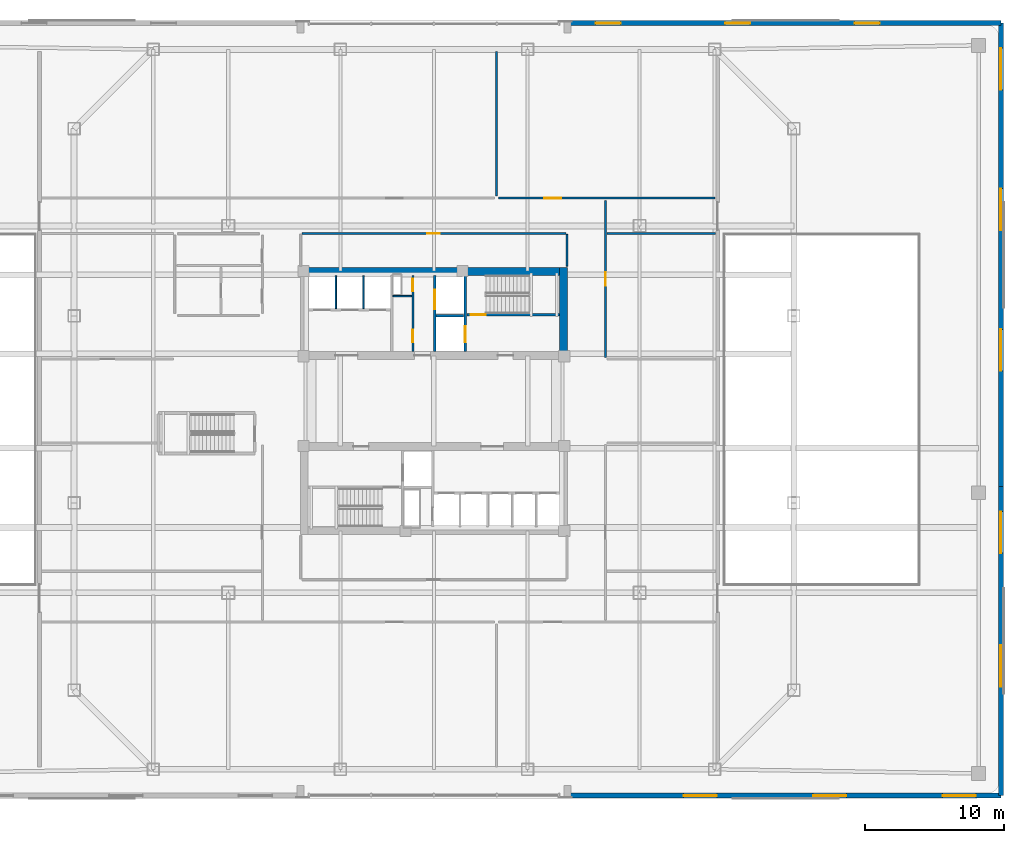
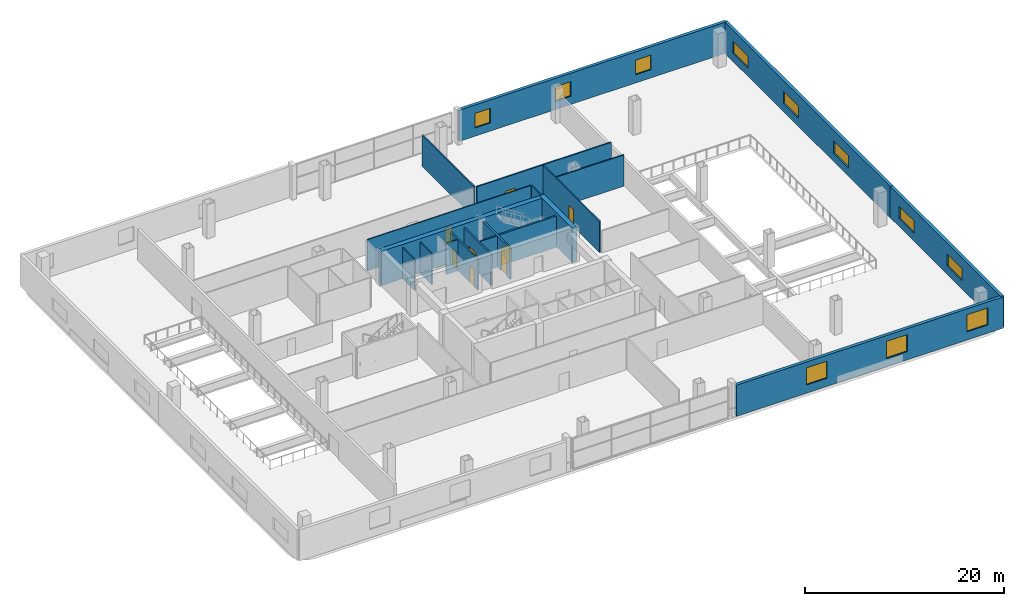
# One storey, part 14 of 21: 20 walls, 11 windows, 8 doors, 19 openings.
"""IFC4 building model written with IfcOpenShell, lengths in metres."""

from ifc_helpers import new_model, si_unit, direction, frame, frame_2d, origin, place, context, subcontext, project, spatial, rectangle, extrude, material, layer, layer_set, type_object, element, fill, save


model = new_model("IFC4")

# Units and contexts
model_context = context("Model", 3, precision=1e-05, world=origin(), true_north=direction((0.0, 1.0)))
body_context = subcontext(model_context, "Body", "Model", "MODEL_VIEW")
ifc_project = project(units=[si_unit("LENGTHUNIT", "METRE"), si_unit("AREAUNIT", "SQUARE_METRE"), si_unit("VOLUMEUNIT", "CUBIC_METRE"), si_unit("PLANEANGLEUNIT", "RADIAN"), si_unit("MASSUNIT", "GRAM", prefix="KILO")], contexts=[model_context])

# Site, building, storey
site_placement = place(None, origin())
site = spatial("IfcSite", under=ifc_project, at=site_placement, CompositionType="ELEMENT")
building_placement = place(site_placement, origin())
building = spatial("IfcBuilding", under=site, at=building_placement, Name="Qhalaya Broadcast Tower", CompositionType="ELEMENT")
storey_placement = place(building_placement, frame((0.0, 0.0, 17.699951171875)))
storey = spatial("IfcBuildingStorey", under=building, at=storey_placement, Name="L04", CompositionType="ELEMENT", Elevation=17.699951171875)

# Wall, openings, doors
ifc_material_1 = material(Name="Gypsum Acoustic Partition")
ifc_layer_1 = layer(ifc_material_1, 0.14990234375, Name="Gypsum Acoustic Partition")
ifc_layer_set_1 = layer_set([ifc_layer_1], Name="Gypsum Acoustic Partition")
wall_type_1 = type_object("IfcWallType", Name="Corridor & Tenancy Acoustic Partition 150", PredefinedType="PARTITIONING", material=ifc_layer_set_1)
wall_1_placement = place(storey_placement, frame((-1.52001953125, 4.169921875, 0.0), z_axis=(0.0, 0.0, 1.0), x_axis=(0.0, 1.0, 0.0)))
wall_1 = element("IfcWall", 1, at=wall_1_placement, inside=storey, type_object=wall_type_1, Name="L04 Partition Wall NCW-SVL", PredefinedType="PARTITIONING", context=body_context, shape_type="SweptSolid", body=[
    extrude(rectangle(XDim=5.4599609375, YDim=0.14990234375, at=frame_2d((2.72998046875, 0.0))), origin(), (0.0, 0.0, 1.0), 3.820068359375),
])
opening_1_placement = place(wall_1_placement, frame((4.330078125, 0.0, 0.0)))
opening_1 = element("IfcOpeningElement", 2, at=opening_1_placement, cuts=wall_1, Name="Opening D06", PredefinedType="OPENING", context=body_context, shape_type="SweptSolid", body=[
    extrude(rectangle(XDim=0.89990234375, YDim=2.050048828125, at=frame_2d((0.449951171875, 1.02490234375))), frame((0.0, 0.0869140625, 0.0), z_axis=(0.0, -1.0, 0.0), x_axis=(1.0, 0.0, 0.0)), (0.0, 0.0, 1.0), 0.173828125),
])
opening_2_placement = place(wall_1_placement, frame((0.64990234375, 0.0, 0.0)))
opening_2 = element("IfcOpeningElement", 3, at=opening_2_placement, cuts=wall_1, Name="Opening D06", PredefinedType="OPENING", context=body_context, shape_type="SweptSolid", body=[
    extrude(rectangle(XDim=0.89990234375, YDim=2.050048828125, at=frame_2d((0.449951171875, 1.02490234375))), frame((0.0, 0.0869140625, 0.0), z_axis=(0.0, -1.0, 0.0), x_axis=(1.0, 0.0, 0.0)), (0.0, 0.0, 1.0), 0.173828125),
])
ifc_material_2 = material(Name="Fire-Rated Steel Door", Category="steel")
door_type_1 = type_object("IfcDoorType", Name="Riser & Electrical Shaft Access Door D06", OperationType="NOTDEFINED", PredefinedType="DOOR", material=ifc_material_2)
door_1_placement = place(opening_1_placement, origin())
door_1 = element("IfcDoor", 4, at=door_1_placement, inside=storey, type_object=door_type_1, Name="L04 Riser Shaft Access Door D-NRSR", OperationType="SINGLE_SWING_RIGHT", OverallHeight=2.050048828125, OverallWidth=0.89990234375, PredefinedType="DOOR", context=body_context, shape_type="SweptSolid", body=[
    extrude(rectangle(XDim=0.89990234375, YDim=2.050048828125, at=frame_2d((0.449951171875, 1.02490234375))), frame((0.0, 0.02490234375, 0.0), z_axis=(0.0, -1.0, 0.0), x_axis=(1.0, 0.0, 0.0)), (0.0, 0.0, 1.0), 0.050048828125),
])
fill(opening_1, door_1)
door_2_placement = place(opening_2_placement, origin())
door_2 = element("IfcDoor", 5, at=door_2_placement, inside=storey, type_object=door_type_1, Name="L04 Door D-NCST", OperationType="SINGLE_SWING_LEFT", OverallHeight=2.050048828125, OverallWidth=0.89990234375, PredefinedType="DOOR", context=body_context, shape_type="SweptSolid", body=[
    extrude(rectangle(XDim=0.89990234375, YDim=2.050048828125, at=frame_2d((0.449951171875, 1.02490234375))), frame((0.0, 0.02490234375, 0.0), z_axis=(0.0, -1.0, 0.0), x_axis=(1.0, 0.0, 0.0)), (0.0, 0.0, 1.0), 0.050048828125),
])
fill(opening_2, door_2)

# Wall, opening, door
wall_2_placement = place(storey_placement, frame((4.659912109375, 15.199951171875, 0.0), z_axis=(0.0, 0.0, 1.0), x_axis=(1.0, 0.0, 0.0)))
wall_2 = element("IfcWall", 6, at=wall_2_placement, inside=storey, type_object=wall_type_1, Name="L04 Partition Wall W-STN1R", PredefinedType="PARTITIONING", context=body_context, shape_type="SweptSolid", body=[
    extrude(rectangle(XDim=15.580078125, YDim=0.14990234375, at=frame_2d((7.7900390625, 0.0))), origin(), (0.0, 0.0, 1.0), 3.820068359375),
])
opening_3_placement = place(wall_2_placement, frame((3.294921875, 0.0, 0.0)))
opening_3 = element("IfcOpeningElement", 7, at=opening_3_placement, cuts=wall_2, Name="Opening D11", PredefinedType="OPENING", context=body_context, shape_type="SweptSolid", body=[
    extrude(rectangle(XDim=1.199951171875, YDim=2.10009765625, at=frame_2d((0.60009765625, 1.050048828125))), frame((0.0, 0.0869140625, 0.0), z_axis=(0.0, -1.0, 0.0), x_axis=(1.0, 0.0, 0.0)), (0.0, 0.0, 1.0), 0.173828125),
])
ifc_material_3 = material(Name="Anodised Aluminium Glazed Door", Category="aluminium")
door_type_2 = type_object("IfcDoorType", Name="Conference, Boardroom & Studio Control Door D11", OperationType="NOTDEFINED", PredefinedType="DOOR", material=ifc_material_3)
door_3_placement = place(opening_3_placement, origin())
door_3 = element("IfcDoor", 8, at=door_3_placement, inside=storey, type_object=door_type_2, Name="L04 Door D-STN2", OperationType="SINGLE_SWING_RIGHT", OverallHeight=2.10009765625, OverallWidth=1.199951171875, PredefinedType="DOOR", context=body_context, shape_type="SweptSolid", body=[
    extrude(rectangle(XDim=1.199951171875, YDim=2.10009765625, at=frame_2d((0.60009765625, 1.050048828125))), frame((0.0, 0.02490234375, 0.0), z_axis=(0.0, -1.0, 0.0), x_axis=(1.0, 0.0, 0.0)), (0.0, 0.0, 1.0), 0.050048828125),
])
fill(opening_3, door_3)

# Wall
wall_3_placement = place(storey_placement, frame((4.5, 15.360107421875, 0.0), z_axis=(0.0, 0.0, 1.0), x_axis=(0.0, 1.0, 0.0)))
element("IfcWall", 9, at=wall_3_placement, inside=storey, type_object=wall_type_1, Name="L04 Partition Wall W-STMN", PredefinedType="PARTITIONING", context=body_context, shape_type="SweptSolid", body=[
    extrude(rectangle(XDim=10.3798828125, YDim=0.14990234375, at=frame_2d((5.18994140625, 0.0))), origin(), (0.0, 0.0, 1.0), 3.820068359375),
])

# Wall, opening, door
wall_4_placement = place(storey_placement, frame((12.35009765625, 3.739990234375, 0.0), z_axis=(0.0, 0.0, 1.0), x_axis=(0.0, 1.0, 0.0)))
wall_4 = element("IfcWall", 10, at=wall_4_placement, inside=storey, type_object=wall_type_1, Name="L04 Partition Wall W-STPEN", PredefinedType="PARTITIONING", context=body_context, shape_type="SweptSolid", body=[
    extrude(rectangle(XDim=11.300048828125, YDim=0.14990234375, at=frame_2d((5.64990234375, 0.0))), origin(), (0.0, 0.0, 1.0), 3.820068359375),
])
opening_4_placement = place(wall_4_placement, frame((5.175048828125, 0.0, 0.0)))
opening_4 = element("IfcOpeningElement", 11, at=opening_4_placement, cuts=wall_4, Name="Opening D10", PredefinedType="OPENING", context=body_context, shape_type="SweptSolid", body=[
    extrude(rectangle(XDim=0.949951171875, YDim=2.10009765625, at=frame_2d((0.47509765625, 1.050048828125))), frame((0.0, 0.0869140625, 0.0), z_axis=(0.0, -1.0, 0.0), x_axis=(1.0, 0.0, 0.0)), (0.0, 0.0, 1.0), 0.173828125),
])
ifc_material_4 = material(Name="Timber Veneer Acoustic Door", Category="wood")
door_type_3 = type_object("IfcDoorType", Name="Cellular Office & Edit Booth Door D10", OperationType="NOTDEFINED", PredefinedType="DOOR", material=ifc_material_4)
door_4_placement = place(opening_4_placement, origin())
door_4 = element("IfcDoor", 12, at=door_4_placement, inside=storey, type_object=door_type_3, Name="L04 Door D-STPE2", OperationType="SINGLE_SWING_LEFT", OverallHeight=2.10009765625, OverallWidth=0.949951171875, PredefinedType="DOOR", context=body_context, shape_type="SweptSolid", body=[
    extrude(rectangle(XDim=0.949951171875, YDim=2.10009765625, at=frame_2d((0.47509765625, 1.050048828125))), frame((0.0, 0.02490234375, 0.0), z_axis=(0.0, -1.0, 0.0), x_axis=(1.0, 0.0, 0.0)), (0.0, 0.0, 1.0), 0.050048828125),
])
fill(opening_4, door_4)

# Wall
wall_5_placement = place(storey_placement, frame((12.4599609375, 12.659912109375, 0.0), z_axis=(0.0, 0.0, 1.0), x_axis=(1.0, 0.0, 0.0)))
element("IfcWall", 13, at=wall_5_placement, inside=storey, type_object=wall_type_1, Name="L04 Partition Wall W-GAL-NE", PredefinedType="PARTITIONING", context=body_context, shape_type="SweptSolid", body=[
    extrude(rectangle(XDim=7.800048828125, YDim=0.14990234375, at=frame_2d((3.89990234375, 0.0))), origin(), (0.0, 0.0, 1.0), 3.820068359375),
])

# Wall, openings, windows
ifc_material_5 = material(Name="Precast Concrete C40/50", Category="concrete")
ifc_layer_2 = layer(ifc_material_5, 0.360107421875, Name="Precast Concrete C40/50")
ifc_layer_set_2 = layer_set([ifc_layer_2], Name="Precast Concrete C40/50")
wall_type_2 = type_object("IfcWallType", Name="Insulated Precast Terracotta Exterior Wall 360", PredefinedType="SOLIDWALL", material=ifc_layer_set_2)
wall_6_placement = place(storey_placement, frame((40.800048828125, -27.800048828125, 0.0), z_axis=(0.0, 0.0, 1.0), x_axis=(-1.0, 0.0, 0.0)))
wall_6 = element("IfcWall", 14, at=wall_6_placement, inside=storey, type_object=wall_type_2, Name="L04 Podium Exterior Terracotta Wall EW-SE", PredefinedType="SOLIDWALL", context=body_context, shape_type="SweptSolid", body=[
    extrude(rectangle(XDim=30.9599609375, YDim=0.360107421875, at=frame_2d((15.47998046875, 0.0))), origin(), (0.0, 0.0, 1.0), 3.820068359375),
])
opening_5_placement = place(wall_6_placement, frame((1.800048828125, 0.0, 1.0)))
opening_5 = element("IfcOpeningElement", 15, at=opening_5_placement, cuts=wall_6, Name="Opening W01", PredefinedType="OPENING", context=body_context, shape_type="SweptSolid", body=[
    extrude(rectangle(XDim=2.39990234375, YDim=2.10009765625, at=frame_2d((1.199951171875, 1.050048828125))), frame((0.0, 0.192138671875, 0.0), z_axis=(0.0, -1.0, 0.0), x_axis=(1.0, 0.0, 0.0)), (0.0, 0.0, 1.0), 0.384033203125),
])
opening_6_placement = place(wall_6_placement, frame((11.1201171875, 0.0, 1.0)))
opening_6 = element("IfcOpeningElement", 16, at=opening_6_placement, cuts=wall_6, Name="Opening W01", PredefinedType="OPENING", context=body_context, shape_type="SweptSolid", body=[
    extrude(rectangle(XDim=2.39990234375, YDim=2.10009765625, at=frame_2d((1.199951171875, 1.050048828125))), frame((0.0, 0.192138671875, 0.0), z_axis=(0.0, -1.0, 0.0), x_axis=(1.0, 0.0, 0.0)), (0.0, 0.0, 1.0), 0.384033203125),
])
opening_7_placement = place(wall_6_placement, frame((20.43994140625, 0.0, 1.0)))
opening_7 = element("IfcOpeningElement", 17, at=opening_7_placement, cuts=wall_6, Name="Opening W01", PredefinedType="OPENING", context=body_context, shape_type="SweptSolid", body=[
    extrude(rectangle(XDim=2.39990234375, YDim=2.10009765625, at=frame_2d((1.199951171875, 1.050048828125))), frame((0.0, 0.192138671875, 0.0), z_axis=(0.0, -1.0, 0.0), x_axis=(1.0, 0.0, 0.0)), (0.0, 0.0, 1.0), 0.384033203125),
])
ifc_material_6 = material(Name="Solar-Control Low-E Triple Glazing", Category="glass")
window_type_1 = type_object("IfcWindowType", Name="Podium Broadcast Studio Acoustic Window W01", PartitioningType="SINGLE_PANEL", PredefinedType="WINDOW", material=ifc_material_6)
window_1_placement = place(opening_5_placement, origin())
window_1 = element("IfcWindow", 18, at=window_1_placement, inside=storey, type_object=window_type_1, Name="L04 Facade Window W01-1", OverallHeight=2.10009765625, OverallWidth=2.39990234375, PartitioningType="SINGLE_PANEL", PredefinedType="WINDOW", context=body_context, shape_type="SweptSolid", body=[
    extrude(rectangle(XDim=2.39990234375, YDim=2.10009765625, at=frame_2d((1.199951171875, 1.050048828125))), frame((0.0, 0.030029296875, 0.0), z_axis=(0.0, -1.0, 0.0), x_axis=(1.0, 0.0, 0.0)), (0.0, 0.0, 1.0), 0.06005859375),
])
fill(opening_5, window_1)
window_2_placement = place(opening_6_placement, origin())
window_2 = element("IfcWindow", 19, at=window_2_placement, inside=storey, type_object=window_type_1, Name="L04 Facade Window W01-2", OverallHeight=2.10009765625, OverallWidth=2.39990234375, PartitioningType="SINGLE_PANEL", PredefinedType="WINDOW", context=body_context, shape_type="SweptSolid", body=[
    extrude(rectangle(XDim=2.39990234375, YDim=2.10009765625, at=frame_2d((1.199951171875, 1.050048828125))), frame((0.0, 0.030029296875, 0.0), z_axis=(0.0, -1.0, 0.0), x_axis=(1.0, 0.0, 0.0)), (0.0, 0.0, 1.0), 0.06005859375),
])
fill(opening_6, window_2)
window_3_placement = place(opening_7_placement, origin())
window_3 = element("IfcWindow", 20, at=window_3_placement, inside=storey, type_object=window_type_1, Name="L04 Facade Window W01-3", OverallHeight=2.10009765625, OverallWidth=2.39990234375, PartitioningType="SINGLE_PANEL", PredefinedType="WINDOW", context=body_context, shape_type="SweptSolid", body=[
    extrude(rectangle(XDim=2.39990234375, YDim=2.10009765625, at=frame_2d((1.199951171875, 1.050048828125))), frame((0.0, 0.030029296875, 0.0), z_axis=(0.0, -1.0, 0.0), x_axis=(1.0, 0.0, 0.0)), (0.0, 0.0, 1.0), 0.06005859375),
])
fill(opening_7, window_3)

wall_7_placement = place(storey_placement, frame((9.840087890625, 27.800048828125, 0.0), z_axis=(0.0, 0.0, 1.0), x_axis=(1.0, 0.0, 0.0)))
wall_7 = element("IfcWall", 21, at=wall_7_placement, inside=storey, type_object=wall_type_2, Name="L04 Podium Exterior Terracotta Wall EW-NE", PredefinedType="SOLIDWALL", context=body_context, shape_type="SweptSolid", body=[
    extrude(rectangle(XDim=30.9599609375, YDim=0.360107421875, at=frame_2d((15.47998046875, 0.0))), origin(), (0.0, 0.0, 1.0), 3.820068359375),
])
opening_8_placement = place(wall_7_placement, frame((1.800048828125, 0.0, 1.0)))
opening_8 = element("IfcOpeningElement", 22, at=opening_8_placement, cuts=wall_7, Name="Opening W02", PredefinedType="OPENING", context=body_context, shape_type="SweptSolid", body=[
    extrude(rectangle(XDim=1.800048828125, YDim=1.800048828125, at=frame_2d((0.89990234375, 0.89990234375))), frame((0.0, 0.192138671875, 0.0), z_axis=(0.0, -1.0, 0.0), x_axis=(1.0, 0.0, 0.0)), (0.0, 0.0, 1.0), 0.384033203125),
])
opening_9_placement = place(wall_7_placement, frame((11.1201171875, 0.0, 1.0)))
opening_9 = element("IfcOpeningElement", 23, at=opening_9_placement, cuts=wall_7, Name="Opening W02", PredefinedType="OPENING", context=body_context, shape_type="SweptSolid", body=[
    extrude(rectangle(XDim=1.800048828125, YDim=1.800048828125, at=frame_2d((0.89990234375, 0.89990234375))), frame((0.0, 0.192138671875, 0.0), z_axis=(0.0, -1.0, 0.0), x_axis=(1.0, 0.0, 0.0)), (0.0, 0.0, 1.0), 0.384033203125),
])
opening_10_placement = place(wall_7_placement, frame((20.43994140625, 0.0, 1.0)))
opening_10 = element("IfcOpeningElement", 24, at=opening_10_placement, cuts=wall_7, Name="Opening W02", PredefinedType="OPENING", context=body_context, shape_type="SweptSolid", body=[
    extrude(rectangle(XDim=1.800048828125, YDim=1.800048828125, at=frame_2d((0.89990234375, 0.89990234375))), frame((0.0, 0.192138671875, 0.0), z_axis=(0.0, -1.0, 0.0), x_axis=(1.0, 0.0, 0.0)), (0.0, 0.0, 1.0), 0.384033203125),
])
window_type_2 = type_object("IfcWindowType", Name="Podium Production Office Window W02", PartitioningType="SINGLE_PANEL", PredefinedType="WINDOW", material=ifc_material_6)
window_4_placement = place(opening_8_placement, origin())
window_4 = element("IfcWindow", 25, at=window_4_placement, inside=storey, type_object=window_type_2, Name="L04 Facade Window W02-1", OverallHeight=1.800048828125, OverallWidth=1.800048828125, PartitioningType="SINGLE_PANEL", PredefinedType="WINDOW", context=body_context, shape_type="SweptSolid", body=[
    extrude(rectangle(XDim=1.800048828125, YDim=1.800048828125, at=frame_2d((0.89990234375, 0.89990234375))), frame((0.0, 0.030029296875, 0.0), z_axis=(0.0, -1.0, 0.0), x_axis=(1.0, 0.0, 0.0)), (0.0, 0.0, 1.0), 0.06005859375),
])
fill(opening_8, window_4)
window_5_placement = place(opening_9_placement, origin())
window_5 = element("IfcWindow", 26, at=window_5_placement, inside=storey, type_object=window_type_2, Name="L04 Facade Window W02-2", OverallHeight=1.800048828125, OverallWidth=1.800048828125, PartitioningType="SINGLE_PANEL", PredefinedType="WINDOW", context=body_context, shape_type="SweptSolid", body=[
    extrude(rectangle(XDim=1.800048828125, YDim=1.800048828125, at=frame_2d((0.89990234375, 0.89990234375))), frame((0.0, 0.030029296875, 0.0), z_axis=(0.0, -1.0, 0.0), x_axis=(1.0, 0.0, 0.0)), (0.0, 0.0, 1.0), 0.06005859375),
])
fill(opening_9, window_5)
window_6_placement = place(opening_10_placement, origin())
window_6 = element("IfcWindow", 27, at=window_6_placement, inside=storey, type_object=window_type_2, Name="L04 Facade Window W02-3", OverallHeight=1.800048828125, OverallWidth=1.800048828125, PartitioningType="SINGLE_PANEL", PredefinedType="WINDOW", context=body_context, shape_type="SweptSolid", body=[
    extrude(rectangle(XDim=1.800048828125, YDim=1.800048828125, at=frame_2d((0.89990234375, 0.89990234375))), frame((0.0, 0.030029296875, 0.0), z_axis=(0.0, -1.0, 0.0), x_axis=(1.0, 0.0, 0.0)), (0.0, 0.0, 1.0), 0.06005859375),
])
fill(opening_10, window_6)

wall_8_placement = place(storey_placement, frame((40.800048828125, -5.550048828125, 0.0), z_axis=(0.0, 0.0, 1.0), x_axis=(0.0, -1.0, 0.0)))
wall_8 = element("IfcWall", 28, at=wall_8_placement, inside=storey, type_object=wall_type_2, Name="L04 Podium Exterior Terracotta Wall EW-ES", PredefinedType="SOLIDWALL", context=body_context, shape_type="SweptSolid", body=[
    extrude(rectangle(XDim=22.25, YDim=0.360107421875, at=frame_2d((11.125, 0.0))), origin(), (0.0, 0.0, 1.0), 3.820068359375),
])
opening_11_placement = place(wall_8_placement, frame((1.800048828125, 0.0, 1.0)))
opening_11 = element("IfcOpeningElement", 29, at=opening_11_placement, cuts=wall_8, Name="Opening W03", PredefinedType="OPENING", context=body_context, shape_type="SweptSolid", body=[
    extrude(rectangle(XDim=3.0, YDim=1.5, at=frame_2d((1.5, 0.75))), frame((0.0, 0.192138671875, 0.0), z_axis=(0.0, -1.0, 0.0), x_axis=(1.0, 0.0, 0.0)), (0.0, 0.0, 1.0), 0.384033203125),
])
opening_12_placement = place(wall_8_placement, frame((11.425048828125, 0.0, 1.0)))
opening_12 = element("IfcOpeningElement", 30, at=opening_12_placement, cuts=wall_8, Name="Opening W03", PredefinedType="OPENING", context=body_context, shape_type="SweptSolid", body=[
    extrude(rectangle(XDim=3.0, YDim=1.5, at=frame_2d((1.5, 0.75))), frame((0.0, 0.192138671875, 0.0), z_axis=(0.0, -1.0, 0.0), x_axis=(1.0, 0.0, 0.0)), (0.0, 0.0, 1.0), 0.384033203125),
])
window_type_3 = type_object("IfcWindowType", Name="Podium Concourse Clerestory Window W03", PartitioningType="SINGLE_PANEL", PredefinedType="WINDOW", material=ifc_material_6)
window_7_placement = place(opening_11_placement, origin())
window_7 = element("IfcWindow", 31, at=window_7_placement, inside=storey, type_object=window_type_3, Name="L04 Facade Window W03-1", OverallHeight=1.5, OverallWidth=3.0, PartitioningType="SINGLE_PANEL", PredefinedType="WINDOW", context=body_context, shape_type="SweptSolid", body=[
    extrude(rectangle(XDim=3.0, YDim=1.5, at=frame_2d((1.5, 0.75))), frame((0.0, 0.030029296875, 0.0), z_axis=(0.0, -1.0, 0.0), x_axis=(1.0, 0.0, 0.0)), (0.0, 0.0, 1.0), 0.06005859375),
])
fill(opening_11, window_7)
window_8_placement = place(opening_12_placement, origin())
window_8 = element("IfcWindow", 32, at=window_8_placement, inside=storey, type_object=window_type_3, Name="L04 Facade Window W03-2", OverallHeight=1.5, OverallWidth=3.0, PartitioningType="SINGLE_PANEL", PredefinedType="WINDOW", context=body_context, shape_type="SweptSolid", body=[
    extrude(rectangle(XDim=3.0, YDim=1.5, at=frame_2d((1.5, 0.75))), frame((0.0, 0.030029296875, 0.0), z_axis=(0.0, -1.0, 0.0), x_axis=(1.0, 0.0, 0.0)), (0.0, 0.0, 1.0), 0.06005859375),
])
fill(opening_12, window_8)

wall_9_placement = place(storey_placement, frame((40.800048828125, 27.800048828125, 0.0), z_axis=(0.0, 0.0, 1.0), x_axis=(0.0, -1.0, 0.0)))
wall_9 = element("IfcWall", 33, at=wall_9_placement, inside=storey, type_object=wall_type_2, Name="L04 Podium Exterior Terracotta Wall EW-EN", PredefinedType="SOLIDWALL", context=body_context, shape_type="SweptSolid", body=[
    extrude(rectangle(XDim=33.35009765625, YDim=0.360107421875, at=frame_2d((16.675048828125, 0.0))), origin(), (0.0, 0.0, 1.0), 3.820068359375),
])
opening_13_placement = place(wall_9_placement, frame((1.800048828125, 0.0, 1.0)))
opening_13 = element("IfcOpeningElement", 34, at=opening_13_placement, cuts=wall_9, Name="Opening W03", PredefinedType="OPENING", context=body_context, shape_type="SweptSolid", body=[
    extrude(rectangle(XDim=3.0, YDim=1.5, at=frame_2d((1.5, 0.75))), frame((0.0, 0.192138671875, 0.0), z_axis=(0.0, -1.0, 0.0), x_axis=(1.0, 0.0, 0.0)), (0.0, 0.0, 1.0), 0.384033203125),
])
opening_14_placement = place(wall_9_placement, frame((11.9169921875, 0.0, 1.0)))
opening_14 = element("IfcOpeningElement", 35, at=opening_14_placement, cuts=wall_9, Name="Opening W03", PredefinedType="OPENING", context=body_context, shape_type="SweptSolid", body=[
    extrude(rectangle(XDim=3.0, YDim=1.5, at=frame_2d((1.5, 0.75))), frame((0.0, 0.192138671875, 0.0), z_axis=(0.0, -1.0, 0.0), x_axis=(1.0, 0.0, 0.0)), (0.0, 0.0, 1.0), 0.384033203125),
])
opening_15_placement = place(wall_9_placement, frame((22.032958984375, 0.0, 1.0)))
opening_15 = element("IfcOpeningElement", 36, at=opening_15_placement, cuts=wall_9, Name="Opening W03", PredefinedType="OPENING", context=body_context, shape_type="SweptSolid", body=[
    extrude(rectangle(XDim=3.0, YDim=1.5, at=frame_2d((1.5, 0.75))), frame((0.0, 0.192138671875, 0.0), z_axis=(0.0, -1.0, 0.0), x_axis=(1.0, 0.0, 0.0)), (0.0, 0.0, 1.0), 0.384033203125),
])
window_9_placement = place(opening_13_placement, origin())
window_9 = element("IfcWindow", 37, at=window_9_placement, inside=storey, type_object=window_type_3, Name="L04 Facade Window W03-1", OverallHeight=1.5, OverallWidth=3.0, PartitioningType="SINGLE_PANEL", PredefinedType="WINDOW", context=body_context, shape_type="SweptSolid", body=[
    extrude(rectangle(XDim=3.0, YDim=1.5, at=frame_2d((1.5, 0.75))), frame((0.0, 0.030029296875, 0.0), z_axis=(0.0, -1.0, 0.0), x_axis=(1.0, 0.0, 0.0)), (0.0, 0.0, 1.0), 0.06005859375),
])
fill(opening_13, window_9)
window_10_placement = place(opening_14_placement, origin())
window_10 = element("IfcWindow", 38, at=window_10_placement, inside=storey, type_object=window_type_3, Name="L04 Facade Window W03-2", OverallHeight=1.5, OverallWidth=3.0, PartitioningType="SINGLE_PANEL", PredefinedType="WINDOW", context=body_context, shape_type="SweptSolid", body=[
    extrude(rectangle(XDim=3.0, YDim=1.5, at=frame_2d((1.5, 0.75))), frame((0.0, 0.030029296875, 0.0), z_axis=(0.0, -1.0, 0.0), x_axis=(1.0, 0.0, 0.0)), (0.0, 0.0, 1.0), 0.06005859375),
])
fill(opening_14, window_10)
window_11_placement = place(opening_15_placement, origin())
window_11 = element("IfcWindow", 39, at=window_11_placement, inside=storey, type_object=window_type_3, Name="L04 Facade Window W03-3", OverallHeight=1.5, OverallWidth=3.0, PartitioningType="SINGLE_PANEL", PredefinedType="WINDOW", context=body_context, shape_type="SweptSolid", body=[
    extrude(rectangle(XDim=3.0, YDim=1.5, at=frame_2d((1.5, 0.75))), frame((0.0, 0.030029296875, 0.0), z_axis=(0.0, -1.0, 0.0), x_axis=(1.0, 0.0, 0.0)), (0.0, 0.0, 1.0), 0.06005859375),
])
fill(opening_15, window_11)

# Wall, opening, door
ifc_material_7 = material(Name="Concrete C50/60", Category="concrete")
ifc_layer_3 = layer(ifc_material_7, 0.199951171875, Name="Concrete C50/60")
ifc_layer_set_3 = layer_set([ifc_layer_3], Name="Concrete C50/60")
wall_type_3 = type_object("IfcWallType", Name="Load-Bearing Stair Shaft Wall 200", PredefinedType="SHEAR", material=ifc_layer_set_3)
wall_10_placement = place(storey_placement, frame((2.360107421875, 6.804931640625, 0.0), z_axis=(0.0, 0.0, 1.0), x_axis=(1.0, 0.0, 0.0)))
wall_10 = element("IfcWall", 40, at=wall_10_placement, inside=storey, type_object=wall_type_3, Name="L04 Stair Core Shear Wall NCW-ST1", PredefinedType="SHEAR", context=body_context, shape_type="SweptSolid", body=[
    extrude(rectangle(XDim=6.669921875, YDim=0.199951171875, at=frame_2d((3.3349609375, 0.0))), origin(), (0.0, 0.0, 1.0), 3.820068359375),
])
opening_16_placement = place(wall_10_placement, frame((0.300048828125, 0.0, 0.0)))
opening_16 = element("IfcOpeningElement", 41, at=opening_16_placement, cuts=wall_10, Name="Opening D03", PredefinedType="OPENING", context=body_context, shape_type="SweptSolid", body=[
    extrude(rectangle(XDim=1.050048828125, YDim=2.080078125, at=frame_2d((0.52490234375, 1.0400390625))), frame((0.0, 0.112060546875, 0.0), z_axis=(0.0, -1.0, 0.0), x_axis=(1.0, 0.0, 0.0)), (0.0, 0.0, 1.0), 0.223876953125),
])
door_type_4 = type_object("IfcDoorType", Name="Core Stair Protected Fire Door D03", OperationType="NOTDEFINED", PredefinedType="DOOR", material=ifc_material_2)
door_5_placement = place(opening_16_placement, origin())
door_5 = element("IfcDoor", 42, at=door_5_placement, inside=storey, type_object=door_type_4, Name="L04 Door D-NST1", OperationType="SINGLE_SWING_LEFT", OverallHeight=2.080078125, OverallWidth=1.050048828125, PredefinedType="DOOR", context=body_context, shape_type="SweptSolid", body=[
    extrude(rectangle(XDim=1.050048828125, YDim=2.080078125, at=frame_2d((0.52490234375, 1.0400390625))), frame((0.0, 0.02490234375, 0.0), z_axis=(0.0, -1.0, 0.0), x_axis=(1.0, 0.0, 0.0)), (0.0, 0.0, 1.0), 0.050048828125),
])
fill(opening_16, door_5)

wall_11_placement = place(storey_placement, frame((2.25, 4.169921875, 0.0), z_axis=(0.0, 0.0, 1.0), x_axis=(0.0, 1.0, 0.0)))
wall_11 = element("IfcWall", 43, at=wall_11_placement, inside=storey, type_object=wall_type_3, Name="L04 Stair Core Shear Wall NCW-FF", PredefinedType="SHEAR", context=body_context, shape_type="SweptSolid", body=[
    extrude(rectangle(XDim=5.4599609375, YDim=0.199951171875, at=frame_2d((2.72998046875, 0.0))), origin(), (0.0, 0.0, 1.0), 3.820068359375),
])
opening_17_placement = place(wall_11_placement, frame((0.64990234375, 0.0, 0.0)))
opening_17 = element("IfcOpeningElement", 44, at=opening_17_placement, cuts=wall_11, Name="Opening LD2", PredefinedType="OPENING", context=body_context, shape_type="SweptSolid", body=[
    extrude(rectangle(XDim=1.14990234375, YDim=2.080078125, at=frame_2d((0.574951171875, 1.0400390625))), frame((0.0, 0.112060546875, 0.0), z_axis=(0.0, -1.0, 0.0), x_axis=(1.0, 0.0, 0.0)), (0.0, 0.0, 1.0), 0.223876953125),
])
ifc_material_8 = material(Name="Brushed Stainless Steel Lift Door", Category="steel")
door_type_5 = type_object("IfcDoorType", Name="Firefighting Lift Sliding Landing Door LD2", OperationType="DOUBLE_DOOR_SLIDING", PredefinedType="DOOR", material=ifc_material_8)
door_6_placement = place(opening_17_placement, origin())
door_6 = element("IfcDoor", 45, at=door_6_placement, inside=storey, type_object=door_type_5, Name="L04 Door LD-FF1", OperationType="DOUBLE_DOOR_SLIDING", OverallHeight=2.080078125, OverallWidth=1.14990234375, PredefinedType="DOOR", context=body_context, shape_type="SweptSolid", body=[
    extrude(rectangle(XDim=1.14990234375, YDim=2.080078125, at=frame_2d((0.574951171875, 1.0400390625))), frame((0.0, 0.02490234375, 0.0), z_axis=(0.0, -1.0, 0.0), x_axis=(1.0, 0.0, 0.0)), (0.0, 0.0, 1.0), 0.050048828125),
])
fill(opening_17, door_6)

# Walls
ifc_material_9 = material(Name="Concrete C60/75", Category="concrete")
ifc_layer_4 = layer(ifc_material_9, 0.550048828125, Name="Concrete C60/75")
ifc_layer_set_4 = layer_set([ifc_layer_4], Name="Concrete C60/75")
wall_type_4 = type_object("IfcWallType", Name="Lower Split-Core Shear Wall 550", PredefinedType="SHEAR", material=ifc_layer_set_4)
wall_12_placement = place(storey_placement, frame((-9.60009765625, 9.925048828125, 0.0), z_axis=(0.0, 0.0, 1.0), x_axis=(1.0, 0.0, 0.0)))
element("IfcWall", 46, at=wall_12_placement, inside=storey, type_object=wall_type_4, Name="L04 Split-Core Shear Wall CW-NN", PredefinedType="SHEAR", context=body_context, shape_type="SweptSolid", body=[
    extrude(rectangle(XDim=19.2001953125, YDim=0.550048828125, at=frame_2d((9.60009765625, 0.0))), origin(), (0.0, 0.0, 1.0), 4.199951171875),
])
wall_13_placement = place(storey_placement, frame((9.324951171875, 3.60009765625, 0.0), z_axis=(0.0, 0.0, 1.0), x_axis=(0.0, 1.0, 0.0)))
element("IfcWall", 47, at=wall_13_placement, inside=storey, type_object=wall_type_4, Name="L04 Split-Core Shear Wall CW-NE", PredefinedType="SHEAR", context=body_context, shape_type="SweptSolid", body=[
    extrude(rectangle(XDim=6.599853515625, YDim=0.550048828125, at=frame_2d((3.2998046875, 0.0))), origin(), (0.0, 0.0, 1.0), 4.199951171875),
])
ifc_layer_5 = layer(ifc_material_1, 0.1201171875, Name="Gypsum Acoustic Partition")
ifc_layer_set_5 = layer_set([ifc_layer_5], Name="Gypsum Acoustic Partition")
wall_type_5 = type_object("IfcWallType", Name="Office, Booth & Sanitary Partition 120", PredefinedType="PARTITIONING", material=ifc_layer_set_5)
wall_14_placement = place(storey_placement, frame((-2.9599609375, 8.14990234375, 0.0), z_axis=(0.0, 0.0, 1.0), x_axis=(1.0, 0.0, 0.0)))
element("IfcWall", 48, at=wall_14_placement, inside=storey, type_object=wall_type_5, Name="L04 Partition Wall NCW-VA", PredefinedType="PARTITIONING", context=body_context, shape_type="SweptSolid", body=[
    extrude(rectangle(XDim=1.35986328125, YDim=0.1201171875, at=frame_2d((0.679931640625, 0.0))), origin(), (0.0, 0.0, 1.0), 3.820068359375),
])
for number, where, z_axis, x_axis, name in (
    (49, (-7.06005859375, 7.25, 0.0), (0.0, 0.0, 1.0), (0.0, 1.0, 0.0), "L04 Partition Wall NCW-PD1"),
    (50, (-5.06005859375, 7.25, 0.0), (0.0, 0.0, 1.0), (0.0, 1.0, 0.0), "L04 Partition Wall NCW-PD2"),
):
    element("IfcWall", number, at=place(storey_placement, frame(where, z_axis=z_axis, x_axis=x_axis)), inside=storey, type_object=wall_type_5, Name=name, PredefinedType="PARTITIONING", context=body_context, shape_type="SweptSolid", body=[
        extrude(rectangle(XDim=2.3798828125, YDim=0.1201171875, at=frame_2d((1.18994140625, 0.0))), origin(), (0.0, 0.0, 1.0), 3.820068359375),
    ])

# Wall, opening, door
wall_15_placement = place(storey_placement, frame((-9.489990234375, 12.659912109375, 0.0), z_axis=(0.0, 0.0, 1.0), x_axis=(1.0, 0.0, 0.0)))
wall_15 = element("IfcWall", 51, at=wall_15_placement, inside=storey, type_object=wall_type_5, Name="L04 Partition Wall W-PCSHN", PredefinedType="PARTITIONING", context=body_context, shape_type="SweptSolid", body=[
    extrude(rectangle(XDim=18.97998046875, YDim=0.1201171875, at=frame_2d((9.489990234375, 0.0))), origin(), (0.0, 0.0, 1.0), 3.820068359375),
])
opening_18_placement = place(wall_15_placement, frame((9.014892578125, 0.0, 0.0)))
opening_18 = element("IfcOpeningElement", 52, at=opening_18_placement, cuts=wall_15, Name="Opening D06", PredefinedType="OPENING", context=body_context, shape_type="SweptSolid", body=[
    extrude(rectangle(XDim=0.89990234375, YDim=2.050048828125, at=frame_2d((0.449951171875, 1.02490234375))), frame((0.0, 0.072021484375, 0.0), z_axis=(0.0, -1.0, 0.0), x_axis=(1.0, 0.0, 0.0)), (0.0, 0.0, 1.0), 0.14404296875),
])
door_7_placement = place(opening_18_placement, origin())
door_7 = element("IfcDoor", 53, at=door_7_placement, inside=storey, type_object=door_type_1, Name="L04 Door D-PCSHN", OperationType="SINGLE_SWING_LEFT", OverallHeight=2.050048828125, OverallWidth=0.89990234375, PredefinedType="DOOR", context=body_context, shape_type="SweptSolid", body=[
    extrude(rectangle(XDim=0.89990234375, YDim=2.050048828125, at=frame_2d((0.449951171875, 1.02490234375))), frame((0.0, 0.02490234375, 0.0), z_axis=(0.0, -1.0, 0.0), x_axis=(1.0, 0.0, 0.0)), (0.0, 0.0, 1.0), 0.050048828125),
])
fill(opening_18, door_7)

# Wall
wall_16_placement = place(storey_placement, frame((9.580078125, 10.31005859375, 0.0), z_axis=(0.0, 0.0, 1.0), x_axis=(0.0, 1.0, 0.0)))
element("IfcWall", 54, at=wall_16_placement, inside=storey, type_object=wall_type_5, Name="L04 Partition Wall W-PCSHNE", PredefinedType="PARTITIONING", context=body_context, shape_type="SweptSolid", body=[
    extrude(rectangle(XDim=2.280029296875, YDim=0.1201171875, at=frame_2d((1.14013671875, 0.0))), origin(), (0.0, 0.0, 1.0), 3.820068359375),
])

# Wall, opening, door
ifc_layer_6 = layer(ifc_material_1, 0.175048828125, Name="Gypsum Acoustic Partition")
ifc_layer_set_6 = layer_set([ifc_layer_6], Name="Gypsum Acoustic Partition")
wall_type_6 = type_object("IfcWallType", Name="Shaft & Riser Fire Partition 175", PredefinedType="PARTITIONING", material=ifc_layer_set_6)
wall_17_placement = place(storey_placement, frame((0.06005859375, 4.169921875, 0.0), z_axis=(0.0, 0.0, 1.0), x_axis=(0.0, 1.0, 0.0)))
wall_17 = element("IfcWall", 55, at=wall_17_placement, inside=storey, type_object=wall_type_6, Name="L04 Partition Wall NCW-SVW", PredefinedType="PARTITIONING", context=body_context, shape_type="SweptSolid", body=[
    extrude(rectangle(XDim=5.4599609375, YDim=0.175048828125, at=frame_2d((2.72998046875, 0.0))), origin(), (0.0, 0.0, 1.0), 3.820068359375),
])
opening_19_placement = place(wall_17_placement, frame((3.050048828125, 0.0, 0.0)))
opening_19 = element("IfcOpeningElement", 56, at=opening_19_placement, cuts=wall_17, Name="Opening LD3", PredefinedType="OPENING", context=body_context, shape_type="SweptSolid", body=[
    extrude(rectangle(XDim=1.39990234375, YDim=2.1201171875, at=frame_2d((0.699951171875, 1.06005859375))), frame((0.0, 0.099609375, 0.0), z_axis=(0.0, -1.0, 0.0), x_axis=(1.0, 0.0, 0.0)), (0.0, 0.0, 1.0), 0.198974609375),
])
door_type_6 = type_object("IfcDoorType", Name="Service Lift Wide Sliding Landing Door LD3", OperationType="DOUBLE_DOOR_SLIDING", PredefinedType="DOOR", material=ifc_material_8)
door_8_placement = place(opening_19_placement, origin())
door_8 = element("IfcDoor", 57, at=door_8_placement, inside=storey, type_object=door_type_6, Name="L04 Door LD-SV1", OperationType="DOUBLE_DOOR_SLIDING", OverallHeight=2.1201171875, OverallWidth=1.39990234375, PredefinedType="DOOR", context=body_context, shape_type="SweptSolid", body=[
    extrude(rectangle(XDim=1.39990234375, YDim=2.1201171875, at=frame_2d((0.699951171875, 1.06005859375))), frame((0.0, 0.02490234375, 0.0), z_axis=(0.0, -1.0, 0.0), x_axis=(1.0, 0.0, 0.0)), (0.0, 0.0, 1.0), 0.050048828125),
])
fill(opening_19, door_8)

# Wall
wall_18_placement = place(storey_placement, frame((0.159912109375, 6.75, 0.0), z_axis=(0.0, 0.0, 1.0), x_axis=(1.0, 0.0, 0.0)))
element("IfcWall", 58, at=wall_18_placement, inside=storey, type_object=wall_type_6, Name="L04 Partition Wall NCW-SVM", PredefinedType="PARTITIONING", context=body_context, shape_type="SweptSolid", body=[
    extrude(rectangle(XDim=1.97998046875, YDim=0.175048828125, at=frame_2d((0.989990234375, 0.0))), origin(), (0.0, 0.0, 1.0), 3.820068359375),
])

save(model, "model.ifc")
